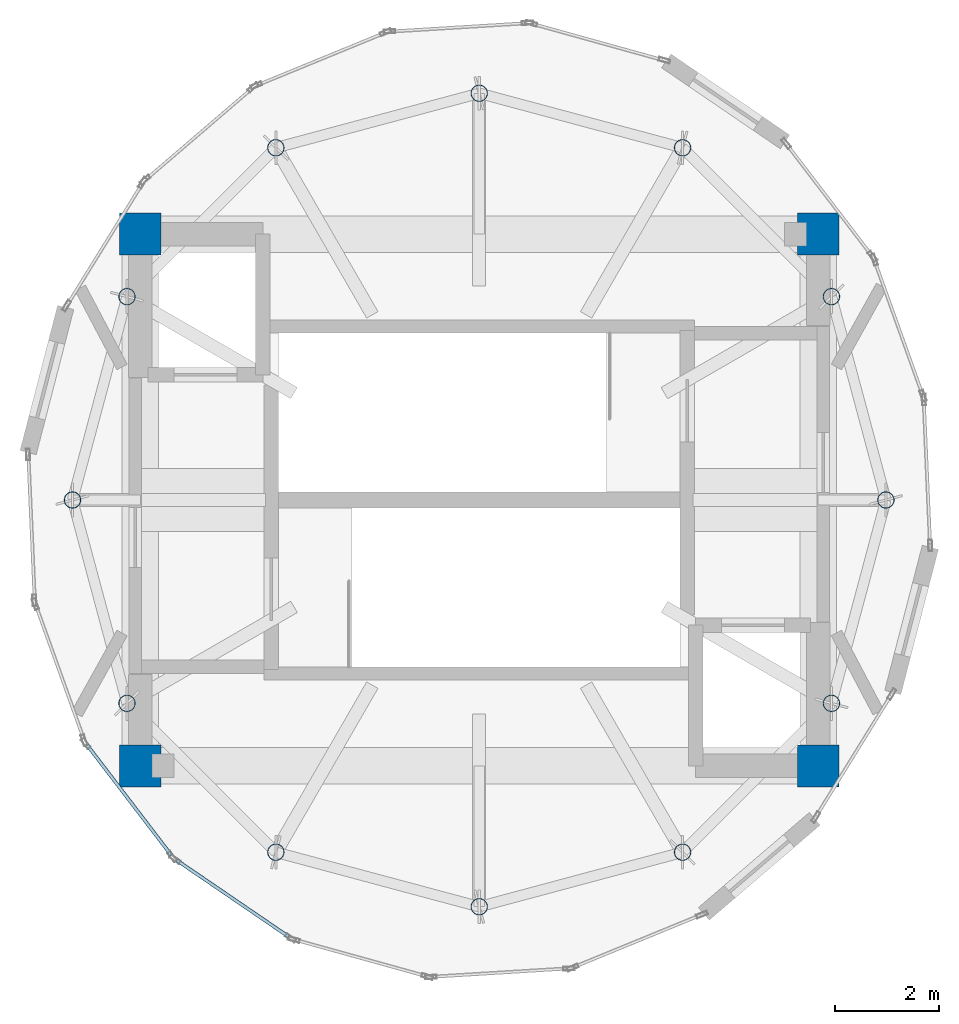
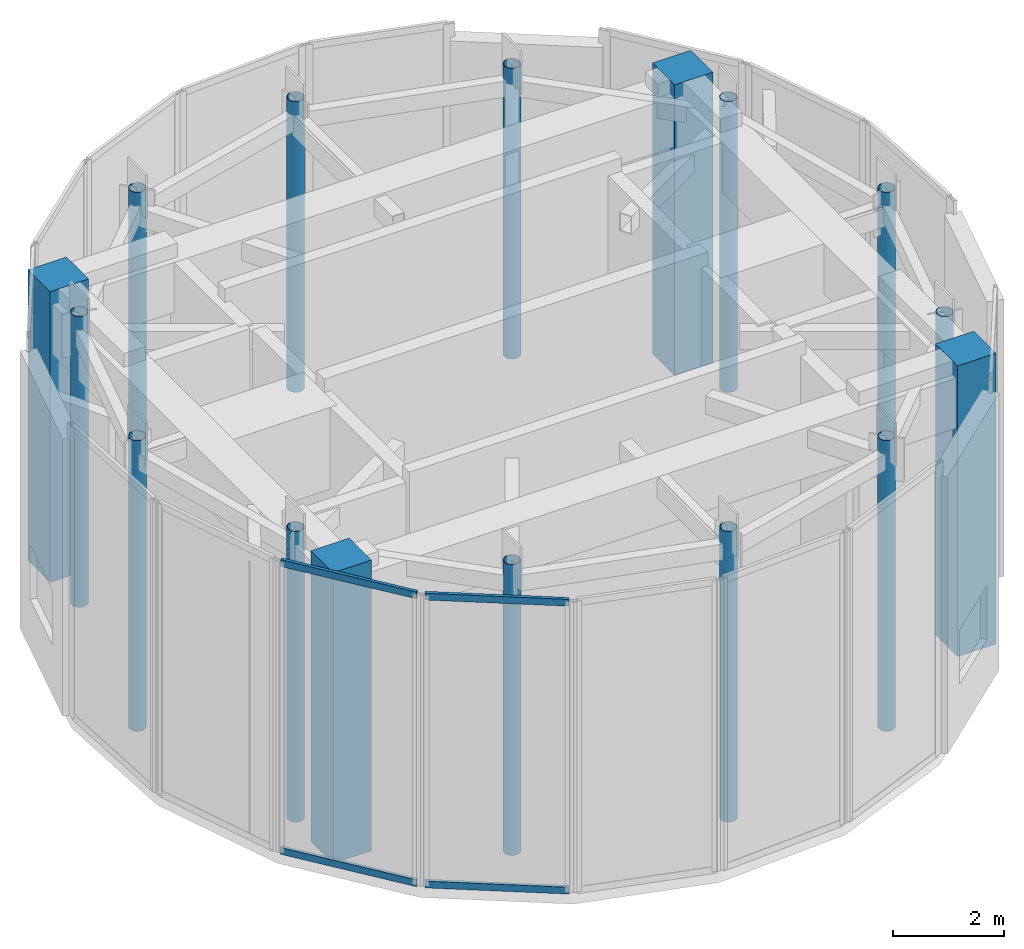
# One storey, part 1 of 7: 16 columns, 4 members, 2 elements without a shape of their own.
"""IFC4 building model written with IfcOpenShell, lengths in metres."""

from ifc_helpers import new_model, si_unit, direction, frame, origin, origin_2d, place, context, subcontext, project, spatial, rectangle, hollow_rectangle, hollow_circle, extrude, source, transform, mapped, material, layer, layer_set, material_profile, profile_set, type_object, element, aggregate, save


model = new_model("IFC4")

# Units and contexts
model_context = context("Model", 3, precision=1e-05, world=origin(), true_north=direction((0.0, 1.0)))
body_context = subcontext(model_context, "Body", "Model", "MODEL_VIEW")
ifc_project = project(units=[si_unit("LENGTHUNIT", "METRE"), si_unit("AREAUNIT", "SQUARE_METRE"), si_unit("VOLUMEUNIT", "CUBIC_METRE"), si_unit("PLANEANGLEUNIT", "RADIAN"), si_unit("MASSUNIT", "GRAM", prefix="KILO")], contexts=[model_context])

# Site, building, storey
site_placement = place(None, origin())
site = spatial("IfcSite", under=ifc_project, at=site_placement, CompositionType="ELEMENT")
building_placement = place(site_placement, origin())
building = spatial("IfcBuilding", under=site, at=building_placement, Name="Solvirekh Grand Hotel", CompositionType="ELEMENT")
storey_placement = place(building_placement, frame((0.0, 0.0, 333.800048828125)))
storey = spatial("IfcBuildingStorey", under=building, at=storey_placement, Name="L83", CompositionType="ELEMENT", Elevation=333.800048828125)

# Columns
ifc_material_1 = material(Name="Concrete C50/60", Category="concrete")
ifc_material_profile_1 = material_profile(ifc_material_1, rectangle(XDim=0.800048828125, YDim=0.800048828125, at=origin_2d()), Name="RC 800X800")
ifc_profile_set_1 = profile_set([ifc_material_profile_1], Name="Concrete C50/60")
column_type_1 = type_object("IfcColumnType", Name="Col_Core_800", PredefinedType="COLUMN", material=ifc_profile_set_1)
for number, where, z_axis, x_axis, name in (
    (1, (-6.5, -5.10009765625, 0.0), (0.0, 0.0, 1.0), (1.0, 0.0, 0.0), "L83 core corner column CC1"),
    (2, (6.5, -5.10009765625, 0.0), (0.0, 0.0, 1.0), (1.0, 0.0, 0.0), "L83 core corner column CC2"),
    (3, (6.5, 5.10009765625, 0.0), (0.0, 0.0, 1.0), (1.0, 0.0, 0.0), "L83 core corner column CC3"),
    (4, (-6.5, 5.10009765625, 0.0), (0.0, 0.0, 1.0), (1.0, 0.0, 0.0), "L83 core corner column CC4"),
):
    element("IfcColumn", number, at=place(storey_placement, frame(where, z_axis=z_axis, x_axis=x_axis)), inside=storey, type_object=column_type_1, Name=name, PredefinedType="COLUMN", context=body_context, shape_type="SweptSolid", body=[
        extrude(rectangle(XDim=0.800048828125, YDim=0.800048828125, at=origin_2d()), origin(), (0.0, 0.0, 1.0), 6.39990234375),
    ])
ifc_material_2 = material(Name="Steel S355", Category="steel")
ifc_material_profile_2 = material_profile(ifc_material_2, hollow_circle(Radius=0.162109375, WallThickness=0.013916015625, at=origin_2d()), Name="CHS 324X14")
ifc_profile_set_2 = profile_set([ifc_material_profile_2], Name="Steel S355")
column_type_2 = type_object("IfcColumnType", Name="Col_Crown_CHS324", PredefinedType="COLUMN", material=ifc_profile_set_2)
for number, where, z_axis, x_axis, name in (
    (5, (7.800048828125, 0.0, 0.0), (0.0, 0.0, 1.0), (1.0, 0.0, 0.0), "L83 perimeter column P01"),
    (6, (6.7548828125, 3.89990234375, 0.0), (0.0, 0.0, 1.0), (1.0, 0.0, 0.0), "L83 perimeter column P02"),
    (7, (3.89990234375, 6.7548828125, 0.0), (0.0, 0.0, 1.0), (1.0, 0.0, 0.0), "L83 perimeter column P03"),
    (8, (0.0, 7.800048828125, 0.0), (0.0, 0.0, 1.0), (1.0, 0.0, 0.0), "L83 perimeter column P04"),
    (9, (-3.89990234375, 6.7548828125, 0.0), (0.0, 0.0, 1.0), (1.0, 0.0, 0.0), "L83 perimeter column P05"),
    (10, (-6.7548828125, 3.89990234375, 0.0), (0.0, 0.0, 1.0), (1.0, 0.0, 0.0), "L83 perimeter column P06"),
    (11, (-7.800048828125, 0.0, 0.0), (0.0, 0.0, 1.0), (1.0, 0.0, 0.0), "L83 perimeter column P07"),
    (12, (-6.7548828125, -3.89990234375, 0.0), (0.0, 0.0, 1.0), (1.0, 0.0, 0.0), "L83 perimeter column P08"),
    (13, (-3.89990234375, -6.7548828125, 0.0), (0.0, 0.0, 1.0), (1.0, 0.0, 0.0), "L83 perimeter column P09"),
    (14, (0.0, -7.800048828125, 0.0), (0.0, 0.0, 1.0), (1.0, 0.0, 0.0), "L83 perimeter column P10"),
    (15, (3.89990234375, -6.7548828125, 0.0), (0.0, 0.0, 1.0), (1.0, 0.0, 0.0), "L83 perimeter column P11"),
    (16, (6.7548828125, -3.89990234375, 0.0), (0.0, 0.0, 1.0), (1.0, 0.0, 0.0), "L83 perimeter column P12"),
):
    element("IfcColumn", number, at=place(storey_placement, frame(where, z_axis=z_axis, x_axis=x_axis)), inside=storey, type_object=column_type_2, Name=name, PredefinedType="COLUMN", context=body_context, shape_type="SweptSolid", body=[
        extrude(hollow_circle(Radius=0.162109375, WallThickness=0.013916015625, at=origin_2d()), origin(), (0.0, 0.0, 1.0), 6.39990234375),
    ])

# Curtain wall, members
ifc_material_3 = material(Name="Anodized Bronze Aluminium 6063-T6", Category="aluminium")
ifc_layer = layer(ifc_material_3, 0.219970703125)
ifc_layer_set = layer_set([ifc_layer], Name="Anodized Bronze Aluminium 6063-T6")
curtain_wall_type = type_object("IfcCurtainWallType", Name="CW_Sys6_CrownFacetedPointCW", PredefinedType="NOTDEFINED", material=ifc_layer_set)
curtain_wall_1_placement = place(storey_placement, origin())
curtain_wall_1 = element("IfcCurtainWall", 17, at=curtain_wall_1_placement, inside=storey, type_object=curtain_wall_type, Name="L83 unitised bronze-glass curtain wall CW-L83-C18", PredefinedType="NOTDEFINED")
ifc_material_profile_3 = material_profile(ifc_material_3, hollow_rectangle(XDim=0.06494140625, YDim=0.14990234375, WallThickness=0.0048828125, at=origin_2d()), Name="ALU RHS 150X65X5")
ifc_profile_set_3 = profile_set([ifc_material_profile_3], Name="Anodized Bronze Aluminium 6063-T6")
member_type = type_object("IfcMemberType", Name="CWTransom_Sys6", PredefinedType="USERDEFINED", material=ifc_profile_set_3)
shared_shape_1 = source(origin(), body_context, "Body", "SweptSolid", [
    extrude(hollow_rectangle(XDim=0.06494140625, YDim=0.14990234375, WallThickness=0.0048828125, at=origin_2d()), origin(), (0.0, 0.0, 1.0), 2.651611328125),
])
member_1_placement = place(storey_placement, frame((-7.51953125, -4.70166015625, 0.032470703125), z_axis=(0.607238191592, -0.794519841585, 0.0), x_axis=(0.794519841585, 0.607238191592, 0.0)))
member_1 = element("IfcMember", 18, at=member_1_placement, type_object=member_type, Name="U06 transom 1.1", ObjectType="TRANSOM", PredefinedType="USERDEFINED", context=body_context, shape_type="MappedRepresentation", body=[
    mapped(shared_shape_1, transform((0.0, 0.0, 0.0), x_axis=(1.0, 0.0, 0.0), y_axis=(0.0, 1.0, 0.0), z_axis=(0.0, 0.0, 1.0), scale=1.0)),
])
member_2_placement = place(storey_placement, frame((-7.51953125, -4.70166015625, 6.367431640625), z_axis=(0.607238191592, -0.794519841585, 0.0), x_axis=(0.794519841585, 0.607238191592, 0.0)))
member_2 = element("IfcMember", 19, at=member_2_placement, type_object=member_type, Name="U06 transom 1.2", ObjectType="TRANSOM", PredefinedType="USERDEFINED", context=body_context, shape_type="MappedRepresentation", body=[
    mapped(shared_shape_1, transform((0.0, 0.0, 0.0), x_axis=(1.0, 0.0, 0.0), y_axis=(0.0, 1.0, 0.0), z_axis=(0.0, 0.0, 1.0), scale=1.0)),
])
aggregate(curtain_wall_1, [member_1, member_2])

curtain_wall_2_placement = place(storey_placement, origin())
curtain_wall_2 = element("IfcCurtainWall", 20, at=curtain_wall_2_placement, inside=storey, type_object=curtain_wall_type, Name="L83 unitised bronze-glass curtain wall CW-L83-C19", PredefinedType="NOTDEFINED")
shared_shape_2 = source(origin(), body_context, "Body", "SweptSolid", [
    extrude(hollow_rectangle(XDim=0.06494140625, YDim=0.14990234375, WallThickness=0.0048828125, at=origin_2d()), origin(), (0.0, 0.0, 1.0), 2.60546875),
])
member_3_placement = place(storey_placement, frame((-5.802001953125, -6.91015625, 0.032470703125), z_axis=(0.826019124085, -0.56364209091, 0.0), x_axis=(0.56364209091, 0.826019124085, 0.0)))
member_3 = element("IfcMember", 21, at=member_3_placement, type_object=member_type, Name="U06 transom 1.1", ObjectType="TRANSOM", PredefinedType="USERDEFINED", context=body_context, shape_type="MappedRepresentation", body=[
    mapped(shared_shape_2, transform((0.0, 0.0, 0.0), x_axis=(1.0, 0.0, 0.0), y_axis=(0.0, 1.0, 0.0), z_axis=(0.0, 0.0, 1.0), scale=1.0)),
])
member_4_placement = place(storey_placement, frame((-5.802001953125, -6.91015625, 6.367431640625), z_axis=(0.826019124085, -0.56364209091, 0.0), x_axis=(0.56364209091, 0.826019124085, 0.0)))
member_4 = element("IfcMember", 22, at=member_4_placement, type_object=member_type, Name="U06 transom 1.2", ObjectType="TRANSOM", PredefinedType="USERDEFINED", context=body_context, shape_type="MappedRepresentation", body=[
    mapped(shared_shape_2, transform((0.0, 0.0, 0.0), x_axis=(1.0, 0.0, 0.0), y_axis=(0.0, 1.0, 0.0), z_axis=(0.0, 0.0, 1.0), scale=1.0)),
])
aggregate(curtain_wall_2, [member_3, member_4])

save(model, "model.ifc")
